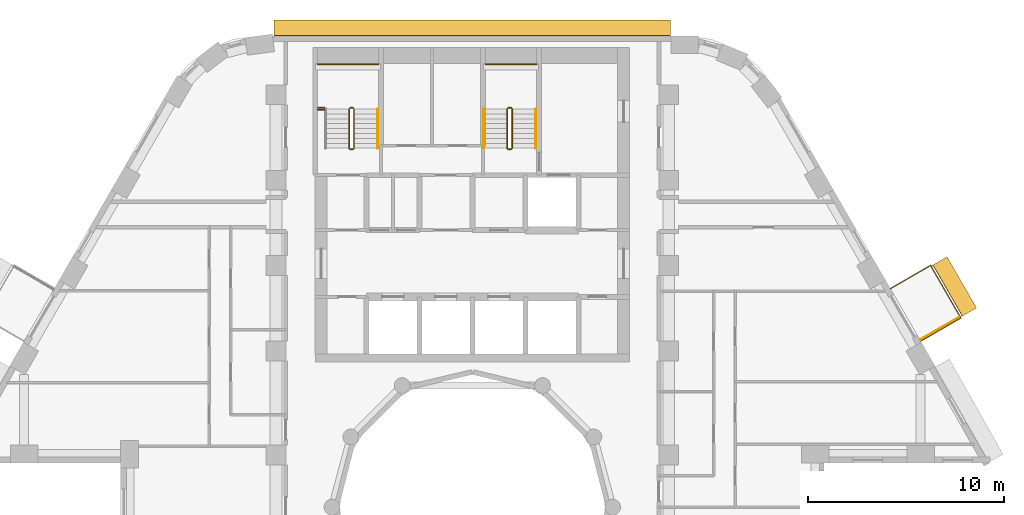
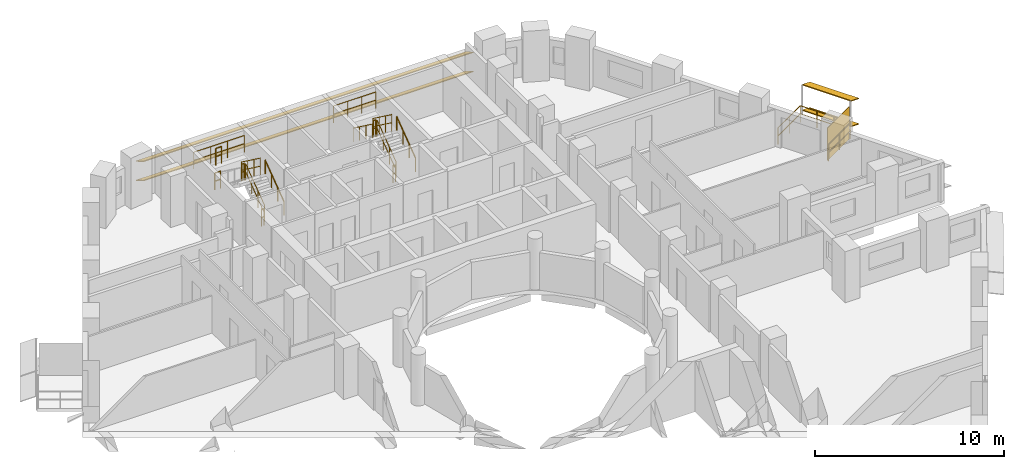
# One storey, part 14 of 14: 16 railings, 5 shading devices.
"""IFC4 building model written with IfcOpenShell, lengths in metres."""

from ifc_helpers import new_model, si_unit, direction, frame, origin, origin_2d, place, context, subcontext, project, spatial, rectangle, circle, extrude, material, layer, layer_set, material_profile, profile_set, type_object, element, save


model = new_model("IFC4")

# Units and contexts
model_context = context("Model", 3, precision=1e-05, world=origin(), true_north=direction((0.0, 1.0)))
body_context = subcontext(model_context, "Body", "Model", "MODEL_VIEW")
ifc_project = project(units=[si_unit("LENGTHUNIT", "METRE"), si_unit("AREAUNIT", "SQUARE_METRE"), si_unit("VOLUMEUNIT", "CUBIC_METRE"), si_unit("PLANEANGLEUNIT", "RADIAN"), si_unit("MASSUNIT", "GRAM", prefix="KILO")], contexts=[model_context])

# Site, building, storey
site_placement = place(None, origin())
site = spatial("IfcSite", under=ifc_project, at=site_placement, CompositionType="ELEMENT")
building_placement = place(site_placement, origin())
building = spatial("IfcBuilding", under=site, at=building_placement, Name="Nakaniwa Court", CompositionType="ELEMENT")
storey_placement = place(building_placement, frame((0.0, 0.0, 114.0)))
storey = spatial("IfcBuildingStorey", under=building, at=storey_placement, Name="L30", CompositionType="ELEMENT", Elevation=114.0)

# Railing
ifc_material_1 = material(Name="Black powder-coated steel flat bar balustrade S275", Category="steel")
railing_type_1 = type_object("IfcRailingType", Name="Black metal balcony guard 1100", PredefinedType="GUARDRAIL", material=ifc_material_1)
railing_1_placement = place(storey_placement, frame((102.83251953125, 88.452880859375, -0.050048828125)))
element("IfcRailing", 1, at=railing_1_placement, inside=storey, type_object=railing_type_1, Name="L30 balcony guard 02", PredefinedType="GUARDRAIL", context=body_context, shape_type="SweptSolid", body=[
    extrude(circle(Radius=0.02392578125, at=origin_2d()), frame((0.0, 0.0, 1.076171875), z_axis=(0.866025363618, 0.50000006957, 0.0), x_axis=(-0.50000006957, 0.866025363618, 0.0)), (0.0, 0.0, 1.0), 2.35986328125),
    extrude(circle(Radius=0.02392578125, at=origin_2d()), frame((0.0, 0.0, 0.550048828125), z_axis=(0.866025363618, 0.50000006957, 0.0), x_axis=(-0.50000006957, 0.866025363618, 0.0)), (0.0, 0.0, 1.0), 2.35986328125),
    extrude(circle(Radius=0.02392578125, at=origin_2d()), frame((2.043701171875, 1.179931640625, 1.076171875), z_axis=(-0.499925626596, 0.866068339032, 0.0), x_axis=(-0.866068339032, -0.499925626596, 0.0)), (0.0, 0.0, 1.0), 3.0859375),
    extrude(circle(Radius=0.02392578125, at=origin_2d()), frame((2.043701171875, 1.179931640625, 0.550048828125), z_axis=(-0.499925626596, 0.866068339032, 0.0), x_axis=(-0.866068339032, -0.499925626596, 0.0)), (0.0, 0.0, 1.0), 3.0859375),
    extrude(circle(Radius=0.02392578125, at=origin_2d()), frame((0.5009765625, 3.8525390625, 1.076171875), z_axis=(-0.866006432019, -0.500032858622, 0.0), x_axis=(0.500032858622, -0.866006432019, 0.0)), (0.0, 0.0, 1.0), 2.360107421875),
    extrude(circle(Radius=0.02392578125, at=origin_2d()), frame((0.5009765625, 3.8525390625, 0.550048828125), z_axis=(-0.866006432019, -0.500032858622, 0.0), x_axis=(0.500032858622, -0.866006432019, 0.0)), (0.0, 0.0, 1.0), 2.360107421875),
    extrude(circle(Radius=0.02099609375, at=origin_2d()), origin(), (0.0, 0.0, 1.0), 1.052001953125),
    extrude(circle(Radius=0.02099609375, at=origin_2d()), frame((1.02197265625, 0.58984375, 0.0)), (0.0, 0.0, 1.0), 1.052001953125),
    extrude(circle(Radius=0.02099609375, at=origin_2d()), frame((2.043701171875, 1.179931640625, 0.0)), (0.0, 0.0, 1.0), 1.052001953125),
    extrude(circle(Radius=0.02099609375, at=origin_2d()), frame((1.529541015625, 2.07080078125, 0.0)), (0.0, 0.0, 1.0), 1.052001953125),
    extrude(circle(Radius=0.02099609375, at=origin_2d()), frame((1.01513671875, 2.961669921875, 0.0)), (0.0, 0.0, 1.0), 1.052001953125),
    extrude(circle(Radius=0.02099609375, at=origin_2d()), frame((0.5009765625, 3.8525390625, 0.0)), (0.0, 0.0, 1.0), 1.052001953125),
    extrude(circle(Radius=0.02099609375, at=origin_2d()), frame((-0.52099609375, 3.262451171875, 0.0)), (0.0, 0.0, 1.0), 1.052001953125),
    extrude(circle(Radius=0.02099609375, at=origin_2d()), frame((-1.54296875, 2.67236328125, 0.0)), (0.0, 0.0, 1.0), 1.052001953125),
])

# Shading devices
ifc_material_2 = material(Name="Black powder-coated aluminium slat screen", Category="aluminium")
ifc_layer = layer(ifc_material_2, 0.0400390625)
ifc_layer_set = layer_set([ifc_layer], Name="Black powder-coated aluminium slat screen")
shading_device_type_1 = type_object("IfcShadingDeviceType", Name="Koshi screen black metal", PredefinedType="USERDEFINED", material=ifc_layer_set)
shading_device_placement = place(storey_placement, frame((103.792724609375, 89.099609375, -0.050048828125), z_axis=(0.0, 0.0, 1.0), x_axis=(-0.499974304289, 0.866040238702, 0.0)))
element("IfcShadingDevice", 2, at=shading_device_placement, inside=storey, type_object=shading_device_type_1, Name="L30 balcony SCREEN 02 W", ObjectType="KOSHI SCREEN", PredefinedType="USERDEFINED", context=body_context, shape_type="SweptSolid", body=[
    extrude(rectangle(XDim=0.0400390625, YDim=2.31005859375, at=origin_2d()), origin(), (0.0, 0.0, 1.0), 2.10009765625),
])
ifc_material_3 = material(Name="Perforated charcoal ceramic louvre blade")
ifc_material_profile = material_profile(ifc_material_3, rectangle(XDim=0.89990234375, YDim=0.050048828125, at=origin_2d()), Name="Perforated ceramic louvre blade")
ifc_profile_set = profile_set([ifc_material_profile], Name="Perforated charcoal ceramic louvre blade")
shading_device_type_2 = type_object("IfcShadingDeviceType", Name="Perforated ceramic louvre blade", PredefinedType="JALOUSIE", material=ifc_profile_set)
for number, where, z_axis, x_axis, name in (
    (3, (105.311279296875, 89.93017578125, 0.5), (-0.499982583329, 0.866035459071, 0.0), (-0.800112435064, -0.46192367535, 0.382683432365), "L30 perforated ceramic louvre blade 02 1"),
    (4, (105.311279296875, 89.93017578125, 2.14990234375), (-0.499982583329, 0.866035459071, 0.0), (-0.800112435064, -0.46192367535, 0.382683432365), "L30 perforated ceramic louvre blade 02 2"),
):
    element("IfcShadingDevice", number, at=place(storey_placement, frame(where, z_axis=z_axis, x_axis=x_axis)), inside=storey, type_object=shading_device_type_2, Name=name, PredefinedType="JALOUSIE", context=body_context, shape_type="SweptSolid", body=[
        extrude(rectangle(XDim=0.89990234375, YDim=0.050048828125, at=origin_2d()), origin(), (0.0, 0.0, 1.0), 3.005859375),
    ])
for number, where, z_axis, x_axis, name in (
    (5, (90.07861328125, 104.402099609375, 0.550048828125), (-1.0, 0.0, 0.0), (0.0, -0.866025403784, 0.5), "L30 perforated ceramic louvre blade w08 1"),
    (6, (90.07861328125, 104.402099609375, 1.793212890625), (-1.0, 0.0, 0.0), (0.0, -0.866025403784, 0.5), "L30 perforated ceramic louvre blade w08 2"),
):
    element("IfcShadingDevice", number, at=place(storey_placement, frame(where, z_axis=z_axis, x_axis=x_axis)), inside=storey, type_object=shading_device_type_2, Name=name, PredefinedType="JALOUSIE", context=body_context, shape_type="SweptSolid", body=[
        extrude(rectangle(XDim=0.89990234375, YDim=0.050048828125, at=origin_2d()), origin(), (0.0, 0.0, 1.0), 20.19091796875),
    ])

# Railings
ifc_material_4 = material(Name="Black powder coated steel guard", Category="steel")
railing_type_2 = type_object("IfcRailingType", Name="Stair guard 1100", PredefinedType="GUARDRAIL", material=ifc_material_4)
railing_2_placement = place(storey_placement, frame((73.97509765625, 98.27490234375, 0.183349609375)))
element("IfcRailing", 7, at=railing_2_placement, inside=storey, type_object=railing_type_2, Name="L30 ST1 stair guard 1", PredefinedType="GUARDRAIL", context=body_context, shape_type="SweptSolid", body=[
    extrude(circle(Radius=0.02392578125, at=origin_2d()), frame((0.0, 0.0, 1.076171875), z_axis=(0.0, 0.806426902644, 0.591333789573), x_axis=(-1.0, 0.0, 0.0)), (0.0, 0.0, 1.0), 2.47998046875),
    extrude(circle(Radius=0.02392578125, at=origin_2d()), frame((0.0, 0.0, 0.550048828125), z_axis=(0.0, 0.806426902644, 0.591333789573), x_axis=(-1.0, 0.0, 0.0)), (0.0, 0.0, 1.0), 2.47998046875),
    extrude(circle(Radius=0.02099609375, at=origin_2d()), origin(), (0.0, 0.0, 1.0), 1.052001953125),
    extrude(circle(Radius=0.02099609375, at=origin_2d()), frame((0.0, 0.666748046875, 0.48876953125)), (0.0, 0.0, 1.0), 1.052001953125),
    extrude(circle(Radius=0.02099609375, at=origin_2d()), frame((0.0, 1.333251953125, 0.977783203125)), (0.0, 0.0, 1.0), 1.052001953125),
    extrude(circle(Radius=0.02099609375, at=origin_2d()), frame((0.0, 2.0, 1.466552734375)), (0.0, 0.0, 1.0), 1.052001953125),
])
railing_3_placement = place(storey_placement, frame((73.925048828125, 100.324951171875, 1.64990234375)))
element("IfcRailing", 8, at=railing_3_placement, inside=storey, type_object=railing_type_2, Name="L30 ST1 stair guard 2", PredefinedType="GUARDRAIL", context=body_context, shape_type="SweptSolid", body=[
    extrude(circle(Radius=0.02392578125, at=origin_2d()), frame((0.0, 0.0, 1.076171875), z_axis=(-1.0, 0.0, 0.0), x_axis=(0.0, -1.0, 0.0)), (0.0, 0.0, 1.0), 0.150146484375),
    extrude(circle(Radius=0.02392578125, at=origin_2d()), frame((0.0, 0.0, 0.550048828125), z_axis=(-1.0, 0.0, 0.0), x_axis=(0.0, -1.0, 0.0)), (0.0, 0.0, 1.0), 0.150146484375),
    extrude(circle(Radius=0.02099609375, at=origin_2d()), origin(), (0.0, 0.0, 1.0), 1.052001953125),
    extrude(circle(Radius=0.02099609375, at=origin_2d()), frame((-0.150146484375, 0.0, 0.0)), (0.0, 0.0, 1.0), 1.052001953125),
])
railing_4_placement = place(storey_placement, frame((73.72509765625, 100.27490234375, 1.833251953125)))
element("IfcRailing", 9, at=railing_4_placement, inside=storey, type_object=railing_type_2, Name="L30 ST1 stair guard 3", PredefinedType="GUARDRAIL", context=body_context, shape_type="SweptSolid", body=[
    extrude(circle(Radius=0.02392578125, at=origin_2d()), frame((0.0, 0.0, 1.076171875), z_axis=(0.0, -0.806379959628, 0.591397802423), x_axis=(1.0, 0.0, 0.0)), (0.0, 0.0, 1.0), 2.480224609375),
    extrude(circle(Radius=0.02392578125, at=origin_2d()), frame((0.0, 0.0, 0.550048828125), z_axis=(0.0, -0.806379959628, 0.591397802423), x_axis=(1.0, 0.0, 0.0)), (0.0, 0.0, 1.0), 2.480224609375),
    extrude(circle(Radius=0.02099609375, at=origin_2d()), origin(), (0.0, 0.0, 1.0), 1.052001953125),
    extrude(circle(Radius=0.02099609375, at=origin_2d()), frame((0.0, -0.666748046875, 0.489013671875)), (0.0, 0.0, 1.0), 1.052001953125),
    extrude(circle(Radius=0.02099609375, at=origin_2d()), frame((0.0, -1.333251953125, 0.977783203125)), (0.0, 0.0, 1.0), 1.052001953125),
    extrude(circle(Radius=0.02099609375, at=origin_2d()), frame((0.0, -2.0, 1.466796875)), (0.0, 0.0, 1.0), 1.052001953125),
])
railing_5_placement = place(storey_placement, frame((73.925048828125, 98.22509765625, 0.0)))
element("IfcRailing", 10, at=railing_5_placement, inside=storey, type_object=railing_type_2, Name="L30 ST1 stair guard 4", PredefinedType="GUARDRAIL", context=body_context, shape_type="SweptSolid", body=[
    extrude(circle(Radius=0.02392578125, at=origin_2d()), frame((0.0, 0.0, 1.076171875), z_axis=(-1.0, 0.0, 0.0), x_axis=(0.0, -1.0, 0.0)), (0.0, 0.0, 1.0), 0.150146484375),
    extrude(circle(Radius=0.02392578125, at=origin_2d()), frame((0.0, 0.0, 0.550048828125), z_axis=(-1.0, 0.0, 0.0), x_axis=(0.0, -1.0, 0.0)), (0.0, 0.0, 1.0), 0.150146484375),
    extrude(circle(Radius=0.02099609375, at=origin_2d()), origin(), (0.0, 0.0, 1.0), 1.052001953125),
    extrude(circle(Radius=0.02099609375, at=origin_2d()), frame((-0.150146484375, 0.0, 0.0)), (0.0, 0.0, 1.0), 1.052001953125),
])
railing_6_placement = place(storey_placement, frame((72.125, 102.550048828125, 1.64990234375)))
element("IfcRailing", 11, at=railing_6_placement, inside=storey, type_object=railing_type_2, Name="L30 ST1 landing end guard 1", PredefinedType="GUARDRAIL", context=body_context, shape_type="SweptSolid", body=[
    extrude(circle(Radius=0.02392578125, at=origin_2d()), frame((0.0, 0.0, 1.076171875), z_axis=(1.0, 0.0, 0.0), x_axis=(0.0, 1.0, 0.0)), (0.0, 0.0, 1.0), 3.10009765625),
    extrude(circle(Radius=0.02392578125, at=origin_2d()), frame((0.0, 0.0, 0.550048828125), z_axis=(1.0, 0.0, 0.0), x_axis=(0.0, 1.0, 0.0)), (0.0, 0.0, 1.0), 3.10009765625),
    extrude(circle(Radius=0.02099609375, at=origin_2d()), origin(), (0.0, 0.0, 1.0), 1.052001953125),
    extrude(circle(Radius=0.02099609375, at=origin_2d()), frame((1.033447265625, 0.0, 0.0)), (0.0, 0.0, 1.0), 1.052001953125),
    extrude(circle(Radius=0.02099609375, at=origin_2d()), frame((2.066650390625, 0.0, 0.0)), (0.0, 0.0, 1.0), 1.052001953125),
    extrude(circle(Radius=0.02099609375, at=origin_2d()), frame((3.10009765625, 0.0, 0.0)), (0.0, 0.0, 1.0), 1.052001953125),
])
for number, where, name in (
    (12, (72.125, 100.324951171875, 1.64990234375), "L30 ST1 landing side guard 1W"),
    (13, (72.125, 100.22509765625, 3.300048828125), "L30 ST1 floor edge guard 1W"),
):
    element("IfcRailing", number, at=place(storey_placement, frame(where)), inside=storey, type_object=railing_type_2, Name=name, PredefinedType="GUARDRAIL", context=body_context, shape_type="SweptSolid", body=[
        extrude(circle(Radius=0.02392578125, at=origin_2d()), frame((0.0, 0.0, 1.076171875), z_axis=(1.0, 0.0, 0.0), x_axis=(0.0, 1.0, 0.0)), (0.0, 0.0, 1.0), 0.35009765625),
        extrude(circle(Radius=0.02392578125, at=origin_2d()), frame((0.0, 0.0, 0.550048828125), z_axis=(1.0, 0.0, 0.0), x_axis=(0.0, 1.0, 0.0)), (0.0, 0.0, 1.0), 0.35009765625),
        extrude(circle(Radius=0.02099609375, at=origin_2d()), origin(), (0.0, 0.0, 1.0), 1.052001953125),
        extrude(circle(Radius=0.02099609375, at=origin_2d()), frame((0.35009765625, 0.0, 0.0)), (0.0, 0.0, 1.0), 1.052001953125),
    ])
railing_7_placement = place(storey_placement, frame((82.02490234375, 98.27490234375, 0.183349609375)))
element("IfcRailing", 14, at=railing_7_placement, inside=storey, type_object=railing_type_2, Name="L30 ST2 stair guard 1", PredefinedType="GUARDRAIL", context=body_context, shape_type="SweptSolid", body=[
    extrude(circle(Radius=0.02392578125, at=origin_2d()), frame((0.0, 0.0, 1.076171875), z_axis=(0.0, 0.806426902644, 0.591333789573), x_axis=(-1.0, 0.0, 0.0)), (0.0, 0.0, 1.0), 2.47998046875),
    extrude(circle(Radius=0.02392578125, at=origin_2d()), frame((0.0, 0.0, 0.550048828125), z_axis=(0.0, 0.806426902644, 0.591333789573), x_axis=(-1.0, 0.0, 0.0)), (0.0, 0.0, 1.0), 2.47998046875),
    extrude(circle(Radius=0.02099609375, at=origin_2d()), origin(), (0.0, 0.0, 1.0), 1.052001953125),
    extrude(circle(Radius=0.02099609375, at=origin_2d()), frame((0.0, 0.666748046875, 0.48876953125)), (0.0, 0.0, 1.0), 1.052001953125),
    extrude(circle(Radius=0.02099609375, at=origin_2d()), frame((0.0, 1.333251953125, 0.977783203125)), (0.0, 0.0, 1.0), 1.052001953125),
    extrude(circle(Radius=0.02099609375, at=origin_2d()), frame((0.0, 2.0, 1.466552734375)), (0.0, 0.0, 1.0), 1.052001953125),
])
railing_8_placement = place(storey_placement, frame((81.97509765625, 100.324951171875, 1.64990234375)))
element("IfcRailing", 15, at=railing_8_placement, inside=storey, type_object=railing_type_2, Name="L30 ST2 stair guard 2", PredefinedType="GUARDRAIL", context=body_context, shape_type="SweptSolid", body=[
    extrude(circle(Radius=0.02392578125, at=origin_2d()), frame((0.0, 0.0, 1.076171875), z_axis=(-1.0, 0.0, 0.0), x_axis=(0.0, -1.0, 0.0)), (0.0, 0.0, 1.0), 0.150146484375),
    extrude(circle(Radius=0.02392578125, at=origin_2d()), frame((0.0, 0.0, 0.550048828125), z_axis=(-1.0, 0.0, 0.0), x_axis=(0.0, -1.0, 0.0)), (0.0, 0.0, 1.0), 0.150146484375),
    extrude(circle(Radius=0.02099609375, at=origin_2d()), origin(), (0.0, 0.0, 1.0), 1.052001953125),
    extrude(circle(Radius=0.02099609375, at=origin_2d()), frame((-0.150146484375, 0.0, 0.0)), (0.0, 0.0, 1.0), 1.052001953125),
])
railing_9_placement = place(storey_placement, frame((81.77490234375, 100.27490234375, 1.833251953125)))
element("IfcRailing", 16, at=railing_9_placement, inside=storey, type_object=railing_type_2, Name="L30 ST2 stair guard 3", PredefinedType="GUARDRAIL", context=body_context, shape_type="SweptSolid", body=[
    extrude(circle(Radius=0.02392578125, at=origin_2d()), frame((0.0, 0.0, 1.076171875), z_axis=(0.0, -0.806379959628, 0.591397802423), x_axis=(1.0, 0.0, 0.0)), (0.0, 0.0, 1.0), 2.480224609375),
    extrude(circle(Radius=0.02392578125, at=origin_2d()), frame((0.0, 0.0, 0.550048828125), z_axis=(0.0, -0.806379959628, 0.591397802423), x_axis=(1.0, 0.0, 0.0)), (0.0, 0.0, 1.0), 2.480224609375),
    extrude(circle(Radius=0.02099609375, at=origin_2d()), origin(), (0.0, 0.0, 1.0), 1.052001953125),
    extrude(circle(Radius=0.02099609375, at=origin_2d()), frame((0.0, -0.666748046875, 0.489013671875)), (0.0, 0.0, 1.0), 1.052001953125),
    extrude(circle(Radius=0.02099609375, at=origin_2d()), frame((0.0, -1.333251953125, 0.977783203125)), (0.0, 0.0, 1.0), 1.052001953125),
    extrude(circle(Radius=0.02099609375, at=origin_2d()), frame((0.0, -2.0, 1.466796875)), (0.0, 0.0, 1.0), 1.052001953125),
])
railing_10_placement = place(storey_placement, frame((81.97509765625, 98.22509765625, 0.0)))
element("IfcRailing", 17, at=railing_10_placement, inside=storey, type_object=railing_type_2, Name="L30 ST2 stair guard 4", PredefinedType="GUARDRAIL", context=body_context, shape_type="SweptSolid", body=[
    extrude(circle(Radius=0.02392578125, at=origin_2d()), frame((0.0, 0.0, 1.076171875), z_axis=(-1.0, 0.0, 0.0), x_axis=(0.0, -1.0, 0.0)), (0.0, 0.0, 1.0), 0.150146484375),
    extrude(circle(Radius=0.02392578125, at=origin_2d()), frame((0.0, 0.0, 0.550048828125), z_axis=(-1.0, 0.0, 0.0), x_axis=(0.0, -1.0, 0.0)), (0.0, 0.0, 1.0), 0.150146484375),
    extrude(circle(Radius=0.02099609375, at=origin_2d()), origin(), (0.0, 0.0, 1.0), 1.052001953125),
    extrude(circle(Radius=0.02099609375, at=origin_2d()), frame((-0.150146484375, 0.0, 0.0)), (0.0, 0.0, 1.0), 1.052001953125),
])
railing_11_placement = place(storey_placement, frame((80.675048828125, 102.550048828125, 1.64990234375)))
element("IfcRailing", 18, at=railing_11_placement, inside=storey, type_object=railing_type_2, Name="L30 ST2 landing end guard 1", PredefinedType="GUARDRAIL", context=body_context, shape_type="SweptSolid", body=[
    extrude(circle(Radius=0.02392578125, at=origin_2d()), frame((0.0, 0.0, 1.076171875), z_axis=(1.0, 0.0, 0.0), x_axis=(0.0, 1.0, 0.0)), (0.0, 0.0, 1.0), 2.599853515625),
    extrude(circle(Radius=0.02392578125, at=origin_2d()), frame((0.0, 0.0, 0.550048828125), z_axis=(1.0, 0.0, 0.0), x_axis=(0.0, 1.0, 0.0)), (0.0, 0.0, 1.0), 2.599853515625),
    extrude(circle(Radius=0.02099609375, at=origin_2d()), origin(), (0.0, 0.0, 1.0), 1.052001953125),
    extrude(circle(Radius=0.02099609375, at=origin_2d()), frame((0.86669921875, 0.0, 0.0)), (0.0, 0.0, 1.0), 1.052001953125),
    extrude(circle(Radius=0.02099609375, at=origin_2d()), frame((1.733154296875, 0.0, 0.0)), (0.0, 0.0, 1.0), 1.052001953125),
    extrude(circle(Radius=0.02099609375, at=origin_2d()), frame((2.599853515625, 0.0, 0.0)), (0.0, 0.0, 1.0), 1.052001953125),
])
ifc_material_5 = material(Name="Black powder coated steel handrail", Category="steel")
railing_type_3 = type_object("IfcRailingType", Name="Stair handrail 900", PredefinedType="HANDRAIL", material=ifc_material_5)
for number, where, name in (
    (19, (75.175048828125, 98.27490234375, 0.183349609375), "L30 ST1 stair handrail 1"),
    (20, (83.22509765625, 98.27490234375, 0.183349609375), "L30 ST2 stair handrail 1"),
):
    element("IfcRailing", number, at=place(storey_placement, frame(where)), inside=storey, type_object=railing_type_3, Name=name, PredefinedType="HANDRAIL", context=body_context, shape_type="SweptSolid", body=[
        extrude(circle(Radius=0.02392578125, at=origin_2d()), frame((0.0, 0.0, 0.8759765625), z_axis=(0.0, 0.806426902644, 0.591333789573), x_axis=(-1.0, 0.0, 0.0)), (0.0, 0.0, 1.0), 2.47998046875),
        extrude(circle(Radius=0.02099609375, at=origin_2d()), origin(), (0.0, 0.0, 1.0), 0.851806640625),
        extrude(circle(Radius=0.02099609375, at=origin_2d()), frame((0.0, 0.666748046875, 0.48876953125)), (0.0, 0.0, 1.0), 0.851806640625),
        extrude(circle(Radius=0.02099609375, at=origin_2d()), frame((0.0, 1.333251953125, 0.977783203125)), (0.0, 0.0, 1.0), 0.851806640625),
        extrude(circle(Radius=0.02099609375, at=origin_2d()), frame((0.0, 2.0, 1.466552734375)), (0.0, 0.0, 1.0), 0.851806640625),
    ])
railing_12_placement = place(storey_placement, frame((80.574951171875, 100.27490234375, 1.833251953125)))
element("IfcRailing", 21, at=railing_12_placement, inside=storey, type_object=railing_type_3, Name="L30 ST2 stair handrail 2", PredefinedType="HANDRAIL", context=body_context, shape_type="SweptSolid", body=[
    extrude(circle(Radius=0.02392578125, at=origin_2d()), frame((0.0, 0.0, 0.8759765625), z_axis=(0.0, -0.806379959628, 0.591397802423), x_axis=(1.0, 0.0, 0.0)), (0.0, 0.0, 1.0), 2.480224609375),
    extrude(circle(Radius=0.02099609375, at=origin_2d()), origin(), (0.0, 0.0, 1.0), 0.851806640625),
    extrude(circle(Radius=0.02099609375, at=origin_2d()), frame((0.0, -0.666748046875, 0.489013671875)), (0.0, 0.0, 1.0), 0.851806640625),
    extrude(circle(Radius=0.02099609375, at=origin_2d()), frame((0.0, -1.333251953125, 0.977783203125)), (0.0, 0.0, 1.0), 0.851806640625),
    extrude(circle(Radius=0.02099609375, at=origin_2d()), frame((0.0, -2.0, 1.466796875)), (0.0, 0.0, 1.0), 0.851806640625),
])

save(model, "model.ifc")
